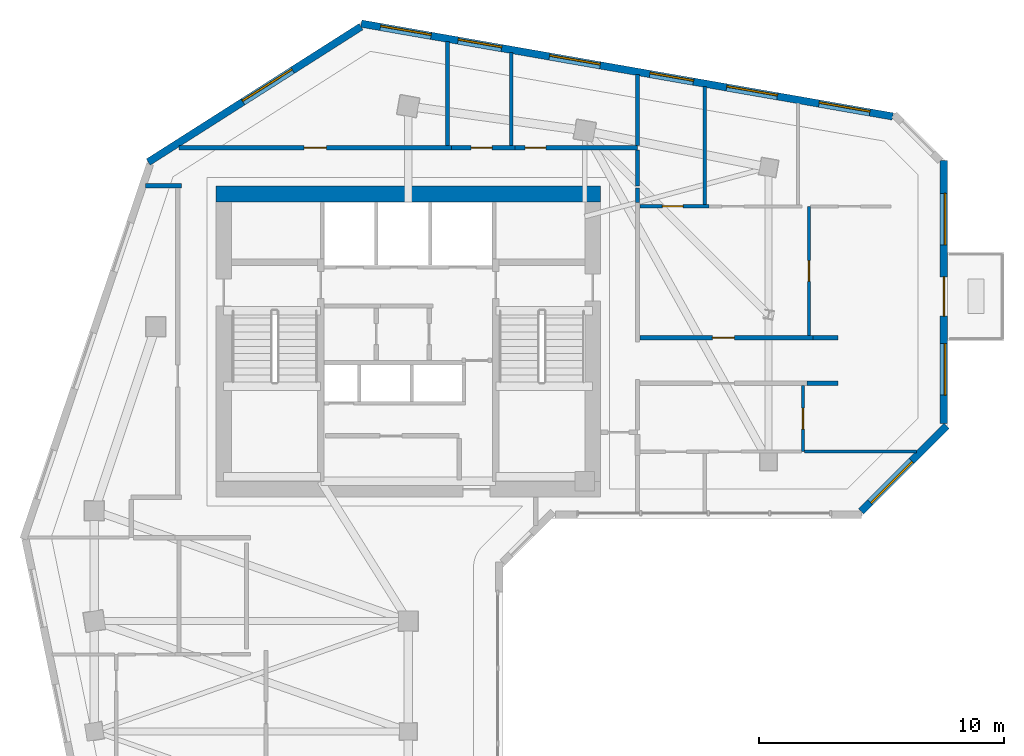
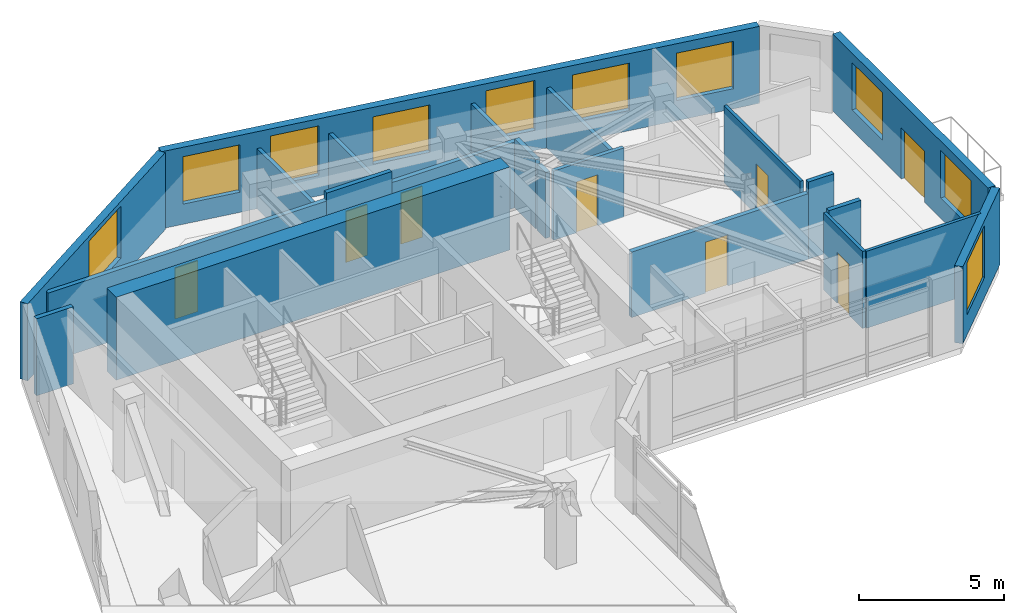
# One storey, part 6 of 10: 22 walls, 10 windows, 8 doors, 18 openings.
"""IFC4 building model written with IfcOpenShell, lengths in metres."""

from ifc_helpers import new_model, si_unit, direction, frame, frame_2d, origin, place, context, subcontext, project, spatial, rectangle, extrude, source, transform, mapped, material, layer, layer_set, type_object, element, fill, save


model = new_model("IFC4")

# Units and contexts
model_context = context("Model", 3, precision=1e-05, world=origin(), true_north=direction((0.0, 1.0)))
body_context = subcontext(model_context, "Body", "Model", "MODEL_VIEW")
ifc_project = project(units=[si_unit("LENGTHUNIT", "METRE"), si_unit("AREAUNIT", "SQUARE_METRE"), si_unit("VOLUMEUNIT", "CUBIC_METRE"), si_unit("PLANEANGLEUNIT", "RADIAN"), si_unit("MASSUNIT", "GRAM", prefix="KILO")], contexts=[model_context])

# Site, building, storey
site_placement = place(None, origin())
site = spatial("IfcSite", under=ifc_project, at=site_placement, CompositionType="ELEMENT")
building_placement = place(site_placement, origin())
building = spatial("IfcBuilding", under=site, at=building_placement, Name="Calvemar Wedge Station Tower", CompositionType="ELEMENT")
storey_placement = place(building_placement, frame((0.0, 0.0, 218.39990234375)))
storey = spatial("IfcBuildingStorey", under=building, at=storey_placement, Name="L55", CompositionType="ELEMENT", Elevation=218.39990234375)

# Walls
ifc_material_1 = material(Name="Concrete C60", Category="concrete")
ifc_layer_1 = layer(ifc_material_1, 0.64990234375)
ifc_layer_set_1 = layer_set([ifc_layer_1], Name="Concrete C60")
wall_type_1 = type_object("IfcWallType", Name="SW-CORE-650", PredefinedType="SHEAR", material=ifc_layer_set_1)
wall_1_placement = place(storey_placement, frame((15.949951171875, 45.925048828125, 0.0), z_axis=(0.0, 0.0, 1.0), x_axis=(1.0, 0.0, 0.0)))
element("IfcWall", 1, at=wall_1_placement, inside=storey, type_object=wall_type_1, Name="Storey L55 Core Shear Wall N", PredefinedType="SHEAR", context=body_context, shape_type="SweptSolid", body=[
    extrude(rectangle(XDim=15.699951171875, YDim=0.64990234375, at=frame_2d((7.85009765625, 0.0))), origin(), (0.0, 0.0, 1.0), 3.5),
])
ifc_material_2 = material(Name="Double-stud fire-rated corridor partition")
ifc_layer_2 = layer(ifc_material_2, 0.179931640625)
ifc_layer_set_2 = layer_set([ifc_layer_2], Name="Double-stud fire-rated corridor partition")
wall_type_2 = type_object("IfcWallType", Name="W-CORR-180", PredefinedType="PARTITIONING", material=ifc_layer_set_2)
wall_2_placement = place(storey_placement, frame((14.56005859375, 46.25, 0.0), z_axis=(0.0, 0.0, 1.0), x_axis=(-1.0, 0.0, 0.0)))
element("IfcWall", 2, at=wall_2_placement, inside=storey, type_object=wall_type_2, Name="Storey L55 Interior Partition WL-L55-014", PredefinedType="PARTITIONING", context=body_context, shape_type="SweptSolid", body=[
    extrude(rectangle(XDim=1.46875, YDim=0.179931640625, at=frame_2d((0.734375, 0.0))), origin(), (0.0, 0.0, 1.0), 3.25),
])

# Wall, opening, door
wall_3_placement = place(storey_placement, frame((14.45263671875, 47.800048828125, 0.0), z_axis=(0.0, 0.0, 1.0), x_axis=(1.0, 0.0, 0.0)))
wall_3 = element("IfcWall", 3, at=wall_3_placement, inside=storey, type_object=wall_type_2, Name="Storey L55 Interior Partition WL-L55-015", PredefinedType="PARTITIONING", context=body_context, shape_type="SweptSolid", body=[
    extrude(rectangle(XDim=11.107421875, YDim=0.179931640625, at=frame_2d((5.5537109375, 0.0))), origin(), (0.0, 0.0, 1.0), 2.919189453125),
])
shared_shape_1 = source(origin(), body_context, "Body", "SweptSolid", [
    extrude(rectangle(XDim=0.89990234375, YDim=2.14990234375, at=frame_2d((0.449951171875, 1.074951171875))), frame((0.0, 0.10009765625, 0.0), z_axis=(0.0, -1.0, 0.0), x_axis=(1.0, 0.0, 0.0)), (0.0, 0.0, 1.0), 0.199951171875),
])
opening_1_placement = place(wall_3_placement, frame((5.103759765625, 0.0, 0.0)))
opening_1 = element("IfcOpeningElement", 4, at=opening_1_placement, cuts=wall_3, Name="Opening D-01", PredefinedType="OPENING", context=body_context, shape_type="MappedRepresentation", body=[
    mapped(shared_shape_1, transform((0.0, 0.0, 0.0), scale=1.0)),
])
ifc_material_3 = material(Name="Architectural hardwood acoustic swing door", Category="wood")
door_type_1 = type_object("IfcDoorType", Name="DR-INT-900", OperationType="NOTDEFINED", PredefinedType="DOOR", material=ifc_material_3)
shared_shape_2 = source(origin(), body_context, "Body", "SweptSolid", [
    extrude(rectangle(XDim=0.89990234375, YDim=2.14990234375, at=frame_2d((0.449951171875, 1.074951171875))), frame((0.0, 0.02490234375, 0.0), z_axis=(0.0, -1.0, 0.0), x_axis=(1.0, 0.0, 0.0)), (0.0, 0.0, 1.0), 0.050048828125),
])
door_1_placement = place(opening_1_placement, origin())
door_1 = element("IfcDoor", 5, at=door_1_placement, inside=storey, type_object=door_type_1, Name="L55 Library Lounge Door", OperationType="SINGLE_SWING_LEFT", OverallHeight=2.14990234375, OverallWidth=0.89990234375, PredefinedType="DOOR", context=body_context, shape_type="MappedRepresentation", body=[
    mapped(shared_shape_2, transform((0.0, 0.0, 0.0), scale=1.0)),
])
fill(opening_1, door_1)

wall_4_placement = place(storey_placement, frame((25.56201171875, 47.800048828125, 0.0), z_axis=(0.0, 0.0, 1.0), x_axis=(1.0, 0.0, 0.0)))
wall_4 = element("IfcWall", 6, at=wall_4_placement, inside=storey, type_object=wall_type_2, Name="Storey L55 Interior Partition WL-L55-016", PredefinedType="PARTITIONING", context=body_context, shape_type="SweptSolid", body=[
    extrude(rectangle(XDim=2.597900390625, YDim=0.179931640625, at=frame_2d((1.298828125, 0.0))), origin(), (0.0, 0.0, 1.0), 3.25),
])
shared_shape_3 = source(origin(), body_context, "Body", "SweptSolid", [
    extrude(rectangle(XDim=0.85009765625, YDim=2.14990234375, at=frame_2d((0.425048828125, 1.074951171875))), frame((0.0, 0.10009765625, 0.0), z_axis=(0.0, -1.0, 0.0), x_axis=(1.0, 0.0, 0.0)), (0.0, 0.0, 1.0), 0.199951171875),
])
opening_2_placement = place(wall_4_placement, frame((0.80810546875, 0.0, 0.0)))
opening_2 = element("IfcOpeningElement", 7, at=opening_2_placement, cuts=wall_4, Name="Opening D-02", PredefinedType="OPENING", context=body_context, shape_type="MappedRepresentation", body=[
    mapped(shared_shape_3, transform((0.0, 0.0, 0.0), scale=1.0)),
])
ifc_material_4 = material(Name="Moisture-sealed bathroom hardwood swing door", Category="wood")
door_type_2 = type_object("IfcDoorType", Name="DR-WET-850", OperationType="NOTDEFINED", PredefinedType="DOOR", material=ifc_material_4)
shared_shape_4 = source(origin(), body_context, "Body", "SweptSolid", [
    extrude(rectangle(XDim=0.85009765625, YDim=2.14990234375, at=frame_2d((0.425048828125, 1.074951171875))), frame((0.0, 0.02490234375, 0.0), z_axis=(0.0, -1.0, 0.0), x_axis=(1.0, 0.0, 0.0)), (0.0, 0.0, 1.0), 0.050048828125),
])
door_2_placement = place(opening_2_placement, origin())
door_2 = element("IfcDoor", 8, at=door_2_placement, inside=storey, type_object=door_type_2, Name="L55 Accessible WC Door", OperationType="SINGLE_SWING_RIGHT", OverallHeight=2.14990234375, OverallWidth=0.85009765625, PredefinedType="DOOR", context=body_context, shape_type="MappedRepresentation", body=[
    mapped(shared_shape_4, transform((0.0, 0.0, 0.0), scale=1.0)),
])
fill(opening_2, door_2)

wall_5_placement = place(storey_placement, frame((28.162109375, 47.800048828125, 0.0), z_axis=(0.0, 0.0, 1.0), x_axis=(1.0, 0.0, 0.0)))
wall_5 = element("IfcWall", 9, at=wall_5_placement, inside=storey, type_object=wall_type_2, Name="Storey L55 Interior Partition WL-L55-017", PredefinedType="PARTITIONING", context=body_context, shape_type="SweptSolid", body=[
    extrude(rectangle(XDim=4.98779296875, YDim=0.179931640625, at=frame_2d((2.493896484375, 0.0))), origin(), (0.0, 0.0, 1.0), 2.779052734375),
])
opening_3_placement = place(wall_5_placement, frame((0.4033203125, 0.0, 0.0)))
opening_3 = element("IfcOpeningElement", 10, at=opening_3_placement, cuts=wall_5, Name="Opening D-02", PredefinedType="OPENING", context=body_context, shape_type="MappedRepresentation", body=[
    mapped(shared_shape_3, transform((0.0, 0.0, 0.0), scale=1.0)),
])
door_3_placement = place(opening_3_placement, origin())
door_3 = element("IfcDoor", 11, at=door_3_placement, inside=storey, type_object=door_type_2, Name="L55 Storage Room Door", OperationType="SINGLE_SWING_LEFT", OverallHeight=2.14990234375, OverallWidth=0.85009765625, PredefinedType="DOOR", context=body_context, shape_type="MappedRepresentation", body=[
    mapped(shared_shape_4, transform((0.0, 0.0, 0.0), scale=1.0)),
])
fill(opening_3, door_3)

# Walls
wall_6_placement = place(storey_placement, frame((33.14990234375, 47.7060546875, 0.0), z_axis=(0.0, 0.0, 1.0), x_axis=(0.0, -1.0, 0.0)))
element("IfcWall", 12, at=wall_6_placement, inside=storey, type_object=wall_type_2, Name="Storey L55 Interior Partition WL-L55-018", PredefinedType="PARTITIONING", context=body_context, shape_type="SweptSolid", body=[
    extrude(rectangle(XDim=1.4560546875, YDim=0.179931640625, at=frame_2d((0.72802734375, 0.0))), origin(), (0.0, 0.0, 1.0), 2.919189453125),
])
wall_7_placement = place(storey_placement, frame((33.14990234375, 46.156005859375, 0.0), z_axis=(0.0, 0.0, 1.0), x_axis=(0.0, -1.0, 0.0)))
element("IfcWall", 13, at=wall_7_placement, inside=storey, type_object=wall_type_2, Name="Storey L55 Interior Partition WL-L55-021", PredefinedType="PARTITIONING", context=body_context, shape_type="SweptSolid", body=[
    extrude(rectangle(XDim=0.576904296875, YDim=0.179931640625, at=frame_2d((0.28857421875, 0.0))), origin(), (0.0, 0.0, 1.0), 2.779052734375),
])

# Wall, opening, door
wall_8_placement = place(storey_placement, frame((33.243896484375, 40.050048828125, 0.0), z_axis=(0.0, 0.0, 1.0), x_axis=(1.0, 0.0, 0.0)))
wall_8 = element("IfcWall", 14, at=wall_8_placement, inside=storey, type_object=wall_type_2, Name="Storey L55 Interior Partition WL-L55-027", PredefinedType="PARTITIONING", context=body_context, shape_type="SweptSolid", body=[
    extrude(rectangle(XDim=7.06201171875, YDim=0.179931640625, at=frame_2d((3.531005859375, 0.0))), origin(), (0.0, 0.0, 1.0), 2.76611328125),
])
opening_4_placement = place(wall_8_placement, frame((2.959228515625, 0.0, 0.0)))
opening_4 = element("IfcOpeningElement", 15, at=opening_4_placement, cuts=wall_8, Name="Opening FD-60", PredefinedType="OPENING", context=body_context, shape_type="MappedRepresentation", body=[
    mapped(shared_shape_1, transform((0.0, 0.0, 0.0), scale=1.0)),
])
ifc_material_5 = material(Name="Fire-rated acoustic timber-core entrance door EI 60", Category="wood")
door_type_3 = type_object("IfcDoorType", Name="DR-FD60-900", OperationType="NOTDEFINED", PredefinedType="DOOR", material=ifc_material_5)
shared_shape_5 = source(origin(), body_context, "Body", "SweptSolid", [
    extrude(rectangle(XDim=0.89990234375, YDim=2.14990234375, at=frame_2d((0.449951171875, 1.074951171875))), frame((0.0, 0.02490234375, 0.0), z_axis=(0.0, -1.0, 0.0), x_axis=(1.0, 0.0, 0.0)), (0.0, 0.0, 1.0), 0.050048828125),
])
door_4_placement = place(opening_4_placement, origin())
door_4 = element("IfcDoor", 16, at=door_4_placement, inside=storey, type_object=door_type_3, Name="L55 Living Dining Door", OperationType="SINGLE_SWING_LEFT", OverallHeight=2.14990234375, OverallWidth=0.89990234375, PredefinedType="DOOR", context=body_context, shape_type="MappedRepresentation", body=[
    mapped(shared_shape_5, transform((0.0, 0.0, 0.0), scale=1.0)),
])
fill(opening_4, door_4)

# Walls
wall_9_placement = place(storey_placement, frame((40.30810546875, 40.050048828125, 0.0), z_axis=(0.0, 0.0, 1.0), x_axis=(1.0, 0.0, 0.0)))
element("IfcWall", 17, at=wall_9_placement, inside=storey, type_object=wall_type_2, Name="Storey L55 Interior Partition WL-L55-028", PredefinedType="PARTITIONING", context=body_context, shape_type="SweptSolid", body=[
    extrude(rectangle(XDim=1.02685546875, YDim=0.179931640625, at=frame_2d((0.513427734375, 0.0))), origin(), (0.0, 0.0, 1.0), 3.25),
])
wall_10_placement = place(storey_placement, frame((41.3349609375, 38.199951171875, 0.0), z_axis=(0.0, 0.0, 1.0), x_axis=(-1.0, 0.0, 0.0)))
element("IfcWall", 18, at=wall_10_placement, inside=storey, type_object=wall_type_2, Name="Storey L55 Interior Partition WL-L55-030", PredefinedType="PARTITIONING", context=body_context, shape_type="SweptSolid", body=[
    extrude(rectangle(XDim=1.27294921875, YDim=0.179931640625, at=frame_2d((0.636474609375, 0.0))), origin(), (0.0, 0.0, 1.0), 3.25),
])

# Wall, opening, window
ifc_material_6 = material(Name="Precast concrete C45", Category="concrete")
ifc_layer_3 = layer(ifc_material_6, 0.300048828125)
ifc_layer_set_3 = layer_set([ifc_layer_3], Name="Precast concrete C45")
wall_type_3 = type_object("IfcWallType", Name="W-EXT-GFRC-300", PredefinedType="SOLIDWALL", material=ifc_layer_set_3)
wall_11_placement = place(storey_placement, frame((42.27587890625, 32.97998046875, 0.0), z_axis=(0.0, 0.0, 1.0), x_axis=(0.707106781187, 0.707106781187, 0.0)))
wall_11 = element("IfcWall", 19, at=wall_11_placement, inside=storey, type_object=wall_type_3, Name="Storey L55 Bronze GFRC Exterior Wall 7", PredefinedType="SOLIDWALL", context=body_context, shape_type="SweptSolid", body=[
    extrude(rectangle(XDim=4.921875, YDim=0.300048828125, at=frame_2d((2.4609375, 0.0))), origin(), (0.0, 0.0, 1.0), 3.25),
])
shared_shape_6 = source(origin(), body_context, "Body", "SweptSolid", [
    extrude(rectangle(XDim=2.39990234375, YDim=2.199951171875, at=frame_2d((1.199951171875, 1.10009765625))), frame((0.0, 0.16015625, 0.0), z_axis=(0.0, -1.0, 0.0), x_axis=(1.0, 0.0, 0.0)), (0.0, 0.0, 1.0), 0.320068359375),
])
opening_5_placement = place(wall_11_placement, frame((0.509033203125, 0.0, 0.85009765625)))
opening_5 = element("IfcOpeningElement", 20, at=opening_5_placement, cuts=wall_11, Name="Opening W1", PredefinedType="OPENING", context=body_context, shape_type="MappedRepresentation", body=[
    mapped(shared_shape_6, transform((0.0, 0.0, 0.0), scale=1.0)),
])
ifc_material_7 = material(Name="Low-E laminated insulated glass", Category="glass")
window_type_1 = type_object("IfcWindowType", Name="WIN-EXT-1", PartitioningType="SINGLE_PANEL", PredefinedType="WINDOW", material=ifc_material_7)
shared_shape_7 = source(origin(), body_context, "Body", "SweptSolid", [
    extrude(rectangle(XDim=2.39990234375, YDim=2.199951171875, at=frame_2d((1.199951171875, 1.10009765625))), frame((0.0, -0.014892578125, 0.0), z_axis=(0.0, -1.0, 0.0), x_axis=(1.0, 0.0, 0.0)), (0.0, 0.0, 1.0), 0.06005859375),
])
window_1_placement = place(opening_5_placement, origin())
window_1 = element("IfcWindow", 21, at=window_1_placement, inside=storey, type_object=window_type_1, Name="Storey L55 Recessed Window 7.1", OverallHeight=2.199951171875, OverallWidth=2.39990234375, PartitioningType="SINGLE_PANEL", PredefinedType="WINDOW", context=body_context, shape_type="MappedRepresentation", body=[
    mapped(shared_shape_7, transform((0.0, 0.0, 0.0), scale=1.0)),
])
fill(opening_5, window_1)

# Wall, openings, windows, door
wall_12_placement = place(storey_placement, frame((45.64990234375, 36.54931640625, 0.0), z_axis=(0.0, 0.0, 1.0), x_axis=(0.0, 1.0, 0.0)))
wall_12 = element("IfcWall", 22, at=wall_12_placement, inside=storey, type_object=wall_type_3, Name="Storey L55 Bronze GFRC Exterior Wall 8", PredefinedType="SOLIDWALL", context=body_context, shape_type="SweptSolid", body=[
    extrude(rectangle(XDim=10.73046875, YDim=0.300048828125, at=frame_2d((5.365234375, 0.0))), origin(), (0.0, 0.0, 1.0), 3.25),
])
shared_shape_8 = source(origin(), body_context, "Body", "SweptSolid", [
    extrude(rectangle(XDim=1.60009765625, YDim=2.14990234375, at=frame_2d((0.800048828125, 1.074951171875))), frame((0.0, 0.16015625, 0.0), z_axis=(0.0, -1.0, 0.0), x_axis=(1.0, 0.0, 0.0)), (0.0, 0.0, 1.0), 0.320068359375),
])
opening_6_placement = place(wall_12_placement, frame((4.39306640625, 0.0, 0.0)))
opening_6 = element("IfcOpeningElement", 23, at=opening_6_placement, cuts=wall_12, Name="Opening DT1", PredefinedType="OPENING", context=body_context, shape_type="MappedRepresentation", body=[
    mapped(shared_shape_8, transform((0.0, 0.0, 0.0), scale=1.0)),
])
shared_shape_9 = source(origin(), body_context, "Body", "SweptSolid", [
    extrude(rectangle(XDim=2.10009765625, YDim=2.0, at=frame_2d((1.050048828125, 1.0))), frame((0.0, 0.16015625, 0.0), z_axis=(0.0, -1.0, 0.0), x_axis=(1.0, 0.0, 0.0)), (0.0, 0.0, 1.0), 0.320068359375),
])
opening_7_placement = place(wall_12_placement, frame((1.166015625, 0.0, 0.85009765625)))
opening_7 = element("IfcOpeningElement", 24, at=opening_7_placement, cuts=wall_12, Name="Opening W4", PredefinedType="OPENING", context=body_context, shape_type="MappedRepresentation", body=[
    mapped(shared_shape_9, transform((0.0, 0.0, 0.0), scale=1.0)),
])
opening_8_placement = place(wall_12_placement, frame((7.2919921875, 0.0, 0.85009765625)))
opening_8 = element("IfcOpeningElement", 25, at=opening_8_placement, cuts=wall_12, Name="Opening W4", PredefinedType="OPENING", context=body_context, shape_type="MappedRepresentation", body=[
    mapped(shared_shape_9, transform((0.0, 0.0, 0.0), scale=1.0)),
])
window_type_2 = type_object("IfcWindowType", Name="WIN-EXT-4", PartitioningType="SINGLE_PANEL", PredefinedType="WINDOW", material=ifc_material_7)
shared_shape_10 = source(origin(), body_context, "Body", "SweptSolid", [
    extrude(rectangle(XDim=2.10009765625, YDim=2.0, at=frame_2d((1.050048828125, 1.0))), frame((0.0, -0.014892578125, 0.0), z_axis=(0.0, -1.0, 0.0), x_axis=(1.0, 0.0, 0.0)), (0.0, 0.0, 1.0), 0.06005859375),
])
window_2_placement = place(opening_7_placement, origin())
window_2 = element("IfcWindow", 26, at=window_2_placement, inside=storey, type_object=window_type_2, Name="Storey L55 Recessed Window 8.1", OverallHeight=2.0, OverallWidth=2.10009765625, PartitioningType="SINGLE_PANEL", PredefinedType="WINDOW", context=body_context, shape_type="MappedRepresentation", body=[
    mapped(shared_shape_10, transform((0.0, 0.0, 0.0), scale=1.0)),
])
fill(opening_7, window_2)
window_3_placement = place(opening_8_placement, origin())
window_3 = element("IfcWindow", 27, at=window_3_placement, inside=storey, type_object=window_type_2, Name="Storey L55 Recessed Window 8.2", OverallHeight=2.0, OverallWidth=2.10009765625, PartitioningType="SINGLE_PANEL", PredefinedType="WINDOW", context=body_context, shape_type="MappedRepresentation", body=[
    mapped(shared_shape_10, transform((0.0, 0.0, 0.0), scale=1.0)),
])
fill(opening_8, window_3)
ifc_material_8 = material(Name="Anodised aluminium 6063-T6", Category="aluminium")
door_type_4 = type_object("IfcDoorType", Name="DR-TERR-1600", OperationType="DOUBLE_DOOR_SLIDING", PredefinedType="DOOR", material=ifc_material_8)
shared_shape_11 = source(origin(), body_context, "Body", "SweptSolid", [
    extrude(rectangle(XDim=1.60009765625, YDim=2.14990234375, at=frame_2d((0.800048828125, 1.074951171875))), frame((0.0, 0.02490234375, 0.0), z_axis=(0.0, -1.0, 0.0), x_axis=(1.0, 0.0, 0.0)), (0.0, 0.0, 1.0), 0.050048828125),
])
door_5_placement = place(opening_6_placement, origin())
door_5 = element("IfcDoor", 28, at=door_5_placement, inside=storey, type_object=door_type_4, Name="Storey L55 Spiral Terrace Door", OperationType="DOUBLE_DOOR_SLIDING", OverallHeight=2.14990234375, OverallWidth=1.60009765625, PredefinedType="DOOR", context=body_context, shape_type="MappedRepresentation", body=[
    mapped(shared_shape_11, transform((0.0, 0.0, 0.0), scale=1.0)),
])
fill(opening_6, door_5)

# Wall, openings, windows
wall_13_placement = place(storey_placement, frame((43.561279296875, 49.081298828125, 0.0), z_axis=(0.0, 0.0, 1.0), x_axis=(-0.985083967494, 0.17207433564, 0.0)))
wall_13 = element("IfcWall", 29, at=wall_13_placement, inside=storey, type_object=wall_type_3, Name="Storey L55 Bronze GFRC Exterior Wall 10", PredefinedType="SOLIDWALL", context=body_context, shape_type="SweptSolid", body=[
    extrude(rectangle(XDim=22.005615234375, YDim=0.300048828125, at=frame_2d((11.0029296875, 0.0))), origin(), (0.0, 0.0, 1.0), 3.25),
])
opening_9_placement = place(wall_13_placement, frame((0.949951171875, 0.0, 0.85009765625)))
opening_9 = element("IfcOpeningElement", 30, at=opening_9_placement, cuts=wall_13, Name="Opening W4", PredefinedType="OPENING", context=body_context, shape_type="MappedRepresentation", body=[
    mapped(shared_shape_9, transform((0.0, 0.0, 0.0), scale=1.0)),
])
opening_10_placement = place(wall_13_placement, frame((4.778076171875, 0.0, 0.85009765625)))
opening_10 = element("IfcOpeningElement", 31, at=opening_10_placement, cuts=wall_13, Name="Opening W4", PredefinedType="OPENING", context=body_context, shape_type="MappedRepresentation", body=[
    mapped(shared_shape_9, transform((0.0, 0.0, 0.0), scale=1.0)),
])
shared_shape_12 = source(origin(), body_context, "Body", "SweptSolid", [
    extrude(rectangle(XDim=1.800048828125, YDim=2.10009765625, at=frame_2d((0.89990234375, 1.050048828125))), frame((0.0, 0.16015625, 0.0), z_axis=(0.0, -1.0, 0.0), x_axis=(1.0, 0.0, 0.0)), (0.0, 0.0, 1.0), 0.320068359375),
])
opening_11_placement = place(wall_13_placement, frame((8.2529296875, 0.0, 0.85009765625)))
opening_11 = element("IfcOpeningElement", 32, at=opening_11_placement, cuts=wall_13, Name="Opening W2", PredefinedType="OPENING", context=body_context, shape_type="MappedRepresentation", body=[
    mapped(shared_shape_12, transform((0.0, 0.0, 0.0), scale=1.0)),
])
opening_12_placement = place(wall_13_placement, frame((12.113037109375, 0.0, 0.85009765625)))
opening_12 = element("IfcOpeningElement", 33, at=opening_12_placement, cuts=wall_13, Name="Opening W4", PredefinedType="OPENING", context=body_context, shape_type="MappedRepresentation", body=[
    mapped(shared_shape_9, transform((0.0, 0.0, 0.0), scale=1.0)),
])
opening_13_placement = place(wall_13_placement, frame((16.197021484375, 0.0, 0.85009765625)))
opening_13 = element("IfcOpeningElement", 34, at=opening_13_placement, cuts=wall_13, Name="Opening W2", PredefinedType="OPENING", context=body_context, shape_type="MappedRepresentation", body=[
    mapped(shared_shape_12, transform((0.0, 0.0, 0.0), scale=1.0)),
])
opening_14_placement = place(wall_13_placement, frame((19.111083984375, 0.0, 0.85009765625)))
opening_14 = element("IfcOpeningElement", 35, at=opening_14_placement, cuts=wall_13, Name="Opening W4", PredefinedType="OPENING", context=body_context, shape_type="MappedRepresentation", body=[
    mapped(shared_shape_9, transform((0.0, 0.0, 0.0), scale=1.0)),
])
window_4_placement = place(opening_9_placement, origin())
window_4 = element("IfcWindow", 36, at=window_4_placement, inside=storey, type_object=window_type_2, Name="Storey L55 Recessed Window 10.1", OverallHeight=2.0, OverallWidth=2.10009765625, PartitioningType="SINGLE_PANEL", PredefinedType="WINDOW", context=body_context, shape_type="MappedRepresentation", body=[
    mapped(shared_shape_10, transform((0.0, 0.0, 0.0), scale=1.0)),
])
fill(opening_9, window_4)
window_5_placement = place(opening_10_placement, origin())
window_5 = element("IfcWindow", 37, at=window_5_placement, inside=storey, type_object=window_type_2, Name="Storey L55 Recessed Window 10.2", OverallHeight=2.0, OverallWidth=2.10009765625, PartitioningType="SINGLE_PANEL", PredefinedType="WINDOW", context=body_context, shape_type="MappedRepresentation", body=[
    mapped(shared_shape_10, transform((0.0, 0.0, 0.0), scale=1.0)),
])
fill(opening_10, window_5)
window_6_placement = place(opening_12_placement, origin())
window_6 = element("IfcWindow", 38, at=window_6_placement, inside=storey, type_object=window_type_2, Name="Storey L55 Recessed Window 10.4", OverallHeight=2.0, OverallWidth=2.10009765625, PartitioningType="SINGLE_PANEL", PredefinedType="WINDOW", context=body_context, shape_type="MappedRepresentation", body=[
    mapped(shared_shape_10, transform((0.0, 0.0, 0.0), scale=1.0)),
])
fill(opening_12, window_6)
window_7_placement = place(opening_14_placement, origin())
window_7 = element("IfcWindow", 39, at=window_7_placement, inside=storey, type_object=window_type_2, Name="Storey L55 Recessed Window 10.6", OverallHeight=2.0, OverallWidth=2.10009765625, PartitioningType="SINGLE_PANEL", PredefinedType="WINDOW", context=body_context, shape_type="MappedRepresentation", body=[
    mapped(shared_shape_10, transform((0.0, 0.0, 0.0), scale=1.0)),
])
fill(opening_14, window_7)
window_type_3 = type_object("IfcWindowType", Name="WIN-EXT-2", PartitioningType="SINGLE_PANEL", PredefinedType="WINDOW", material=ifc_material_7)
shared_shape_13 = source(origin(), body_context, "Body", "SweptSolid", [
    extrude(rectangle(XDim=1.800048828125, YDim=2.10009765625, at=frame_2d((0.89990234375, 1.050048828125))), frame((0.0, -0.014892578125, 0.0), z_axis=(0.0, -1.0, 0.0), x_axis=(1.0, 0.0, 0.0)), (0.0, 0.0, 1.0), 0.06005859375),
])
window_8_placement = place(opening_11_placement, origin())
window_8 = element("IfcWindow", 40, at=window_8_placement, inside=storey, type_object=window_type_3, Name="Storey L55 Recessed Window 10.3", OverallHeight=2.10009765625, OverallWidth=1.800048828125, PartitioningType="SINGLE_PANEL", PredefinedType="WINDOW", context=body_context, shape_type="MappedRepresentation", body=[
    mapped(shared_shape_13, transform((0.0, 0.0, 0.0), scale=1.0)),
])
fill(opening_11, window_8)
window_9_placement = place(opening_13_placement, origin())
window_9 = element("IfcWindow", 41, at=window_9_placement, inside=storey, type_object=window_type_3, Name="Storey L55 Recessed Window 10.5", OverallHeight=2.10009765625, OverallWidth=1.800048828125, PartitioningType="SINGLE_PANEL", PredefinedType="WINDOW", context=body_context, shape_type="MappedRepresentation", body=[
    mapped(shared_shape_13, transform((0.0, 0.0, 0.0), scale=1.0)),
])
fill(opening_13, window_9)

# Wall, opening, window
wall_14_placement = place(storey_placement, frame((21.873779296875, 52.741943359375, 0.0), z_axis=(0.0, 0.0, 1.0), x_axis=(-0.84365659959, -0.536883173482, 0.0)))
wall_14 = element("IfcWall", 42, at=wall_14_placement, inside=storey, type_object=wall_type_3, Name="Storey L55 Bronze GFRC Exterior Wall 11", PredefinedType="SOLIDWALL", context=body_context, shape_type="SweptSolid", body=[
    extrude(rectangle(XDim=10.282958984375, YDim=0.300048828125, at=frame_2d((5.1416015625, 0.0))), origin(), (0.0, 0.0, 1.0), 3.25),
])
opening_15_placement = place(wall_14_placement, frame((3.306884765625, 0.0, 0.85009765625)))
opening_15 = element("IfcOpeningElement", 43, at=opening_15_placement, cuts=wall_14, Name="Opening W1", PredefinedType="OPENING", context=body_context, shape_type="MappedRepresentation", body=[
    mapped(shared_shape_6, transform((0.0, 0.0, 0.0), scale=1.0)),
])
window_10_placement = place(opening_15_placement, origin())
window_10 = element("IfcWindow", 44, at=window_10_placement, inside=storey, type_object=window_type_1, Name="Storey L55 Recessed Window 11.1", OverallHeight=2.199951171875, OverallWidth=2.39990234375, PartitioningType="SINGLE_PANEL", PredefinedType="WINDOW", context=body_context, shape_type="MappedRepresentation", body=[
    mapped(shared_shape_7, transform((0.0, 0.0, 0.0), scale=1.0)),
])
fill(opening_15, window_10)

# Wall, opening, door
ifc_material_9 = material(Name="Insulated acoustic gypsum stud partition")
ifc_layer_4 = layer(ifc_material_9, 0.125)
ifc_layer_set_4 = layer_set([ifc_layer_4], Name="Insulated acoustic gypsum stud partition")
wall_type_4 = type_object("IfcWallType", Name="W-PART-125", PredefinedType="PARTITIONING", material=ifc_layer_set_4)
wall_15_placement = place(storey_placement, frame((40.14599609375, 45.4169921875, 0.0), z_axis=(0.0, 0.0, 1.0), x_axis=(0.0, -1.0, 0.0)))
wall_15 = element("IfcWall", 45, at=wall_15_placement, inside=storey, type_object=wall_type_4, Name="Storey L55 Interior Partition WL-L55-033", PredefinedType="PARTITIONING", context=body_context, shape_type="SweptSolid", body=[
    extrude(rectangle(XDim=5.27294921875, YDim=0.125, at=frame_2d((2.636474609375, 0.0))), origin(), (0.0, 0.0, 1.0), 3.25),
])
shared_shape_14 = source(origin(), body_context, "Body", "SweptSolid", [
    extrude(rectangle(XDim=0.85009765625, YDim=2.14990234375, at=frame_2d((0.425048828125, 1.074951171875))), frame((0.0, 0.072509765625, 0.0), z_axis=(0.0, -1.0, 0.0), x_axis=(1.0, 0.0, 0.0)), (0.0, 0.0, 1.0), 0.14501953125),
])
opening_16_placement = place(wall_15_placement, frame((2.21142578125, 0.0, 0.0)))
opening_16 = element("IfcOpeningElement", 46, at=opening_16_placement, cuts=wall_15, Name="Opening D-02", PredefinedType="OPENING", context=body_context, shape_type="MappedRepresentation", body=[
    mapped(shared_shape_14, transform((0.0, 0.0, 0.0), scale=1.0)),
])
door_6_placement = place(opening_16_placement, origin())
door_6 = element("IfcDoor", 47, at=door_6_placement, inside=storey, type_object=door_type_2, Name="L55 Kitchen Door", OperationType="SINGLE_SWING_RIGHT", OverallHeight=2.14990234375, OverallWidth=0.85009765625, PredefinedType="DOOR", context=body_context, shape_type="MappedRepresentation", body=[
    mapped(shared_shape_4, transform((0.0, 0.0, 0.0), scale=1.0)),
])
fill(opening_16, door_6)

wall_16_placement = place(storey_placement, frame((39.89990234375, 38.10595703125, 0.0), z_axis=(0.0, 0.0, 1.0), x_axis=(0.0, -1.0, 0.0)))
wall_16 = element("IfcWall", 48, at=wall_16_placement, inside=storey, type_object=wall_type_4, Name="Storey L55 Interior Partition WL-L55-039", PredefinedType="PARTITIONING", context=body_context, shape_type="SweptSolid", body=[
    extrude(rectangle(XDim=2.698974609375, YDim=0.125, at=frame_2d((1.349609375, 0.0))), origin(), (0.0, 0.0, 1.0), 3.25),
])
opening_17_placement = place(wall_16_placement, frame((0.924560546875, 0.0, 0.0)))
opening_17 = element("IfcOpeningElement", 49, at=opening_17_placement, cuts=wall_16, Name="Opening D-02", PredefinedType="OPENING", context=body_context, shape_type="MappedRepresentation", body=[
    mapped(shared_shape_14, transform((0.0, 0.0, 0.0), scale=1.0)),
])
door_7_placement = place(opening_17_placement, origin())
door_7 = element("IfcDoor", 50, at=door_7_placement, inside=storey, type_object=door_type_2, Name="L55 Kitchen Door", OperationType="SINGLE_SWING_LEFT", OverallHeight=2.14990234375, OverallWidth=0.85009765625, PredefinedType="DOOR", context=body_context, shape_type="MappedRepresentation", body=[
    mapped(shared_shape_4, transform((0.0, 0.0, 0.0), scale=1.0)),
])
fill(opening_17, door_7)

# Walls
wall_17_placement = place(storey_placement, frame((44.540283203125, 35.406982421875, 0.0), z_axis=(0.0, 0.0, 1.0), x_axis=(-1.0, 0.0, 0.0)))
element("IfcWall", 51, at=wall_17_placement, inside=storey, type_object=wall_type_4, Name="Storey L55 Interior Partition WL-L55-042", PredefinedType="PARTITIONING", context=body_context, shape_type="SweptSolid", body=[
    extrude(rectangle(XDim=4.57373046875, YDim=0.125, at=frame_2d((2.286865234375, 0.0))), origin(), (0.0, 0.0, 1.0), 3.25),
])
ifc_material_10 = material(Name="Moisture-resistant acoustic bathroom partition")
ifc_layer_5 = layer(ifc_material_10, 0.14990234375)
ifc_layer_set_5 = layer_set([ifc_layer_5], Name="Moisture-resistant acoustic bathroom partition")
wall_type_5 = type_object("IfcWallType", Name="W-WET-150", PredefinedType="PARTITIONING", material=ifc_layer_set_5)
wall_18_placement = place(storey_placement, frame((25.39990234375, 52.13720703125, 0.0), z_axis=(0.0, 0.0, 1.0), x_axis=(0.0, -1.0, 0.0)))
element("IfcWall", 52, at=wall_18_placement, inside=storey, type_object=wall_type_5, Name="Storey L55 Interior Partition WL-L55-024", PredefinedType="PARTITIONING", context=body_context, shape_type="SweptSolid", body=[
    extrude(rectangle(XDim=4.2431640625, YDim=0.14990234375, at=frame_2d((2.12158203125, 0.0))), origin(), (0.0, 0.0, 1.0), 2.5419921875),
])
wall_19_placement = place(storey_placement, frame((28.0, 51.682861328125, 0.0), z_axis=(0.0, 0.0, 1.0), x_axis=(0.0, -1.0, 0.0)))
element("IfcWall", 53, at=wall_19_placement, inside=storey, type_object=wall_type_5, Name="Storey L55 Interior Partition WL-L55-025", PredefinedType="PARTITIONING", context=body_context, shape_type="SweptSolid", body=[
    extrude(rectangle(XDim=3.788818359375, YDim=0.14990234375, at=frame_2d((1.89453125, 0.0))), origin(), (0.0, 0.0, 1.0), 2.5419921875),
])
wall_20_placement = place(storey_placement, frame((33.14990234375, 50.783203125, 0.0), z_axis=(0.0, 0.0, 1.0), x_axis=(0.0, -1.0, 0.0)))
element("IfcWall", 54, at=wall_20_placement, inside=storey, type_object=wall_type_5, Name="Storey L55 Interior Partition WL-L55-026", PredefinedType="PARTITIONING", context=body_context, shape_type="SweptSolid", body=[
    extrude(rectangle(XDim=2.88916015625, YDim=0.14990234375, at=frame_2d((1.444580078125, 0.0))), origin(), (0.0, 0.0, 1.0), 2.5419921875),
])

# Wall, opening, door
wall_21_placement = place(storey_placement, frame((33.243896484375, 45.4169921875, 0.0), z_axis=(0.0, 0.0, 1.0), x_axis=(1.0, 0.0, 0.0)))
wall_21 = element("IfcWall", 55, at=wall_21_placement, inside=storey, type_object=wall_type_5, Name="Storey L55 Interior Partition WL-L55-034", PredefinedType="PARTITIONING", context=body_context, shape_type="SweptSolid", body=[
    extrude(rectangle(XDim=2.816162109375, YDim=0.14990234375, at=frame_2d((1.408203125, 0.0))), origin(), (0.0, 0.0, 1.0), 2.919189453125),
])
shared_shape_15 = source(origin(), body_context, "Body", "SweptSolid", [
    extrude(rectangle(XDim=0.85009765625, YDim=2.14990234375, at=frame_2d((0.425048828125, 1.074951171875))), frame((0.0, 0.0849609375, 0.0), z_axis=(0.0, -1.0, 0.0), x_axis=(1.0, 0.0, 0.0)), (0.0, 0.0, 1.0), 0.169921875),
])
opening_18_placement = place(wall_21_placement, frame((0.919189453125, 0.0, 0.0)))
opening_18 = element("IfcOpeningElement", 56, at=opening_18_placement, cuts=wall_21, Name="Opening D-02", PredefinedType="OPENING", context=body_context, shape_type="MappedRepresentation", body=[
    mapped(shared_shape_15, transform((0.0, 0.0, 0.0), scale=1.0)),
])
door_8_placement = place(opening_18_placement, origin())
door_8 = element("IfcDoor", 57, at=door_8_placement, inside=storey, type_object=door_type_2, Name="L55 Bathroom Door", OperationType="SINGLE_SWING_LEFT", OverallHeight=2.14990234375, OverallWidth=0.85009765625, PredefinedType="DOOR", context=body_context, shape_type="MappedRepresentation", body=[
    mapped(shared_shape_4, transform((0.0, 0.0, 0.0), scale=1.0)),
])
fill(opening_18, door_8)

# Wall
wall_22_placement = place(storey_placement, frame((35.89990234375, 50.302978515625, 0.0), z_axis=(0.0, 0.0, 1.0), x_axis=(0.0, -1.0, 0.0)))
element("IfcWall", 58, at=wall_22_placement, inside=storey, type_object=wall_type_5, Name="Storey L55 Interior Partition WL-L55-037", PredefinedType="PARTITIONING", context=body_context, shape_type="SweptSolid", body=[
    extrude(rectangle(XDim=4.806884765625, YDim=0.14990234375, at=frame_2d((2.4033203125, 0.0))), origin(), (0.0, 0.0, 1.0), 2.5419921875),
])

save(model, "model.ifc")
